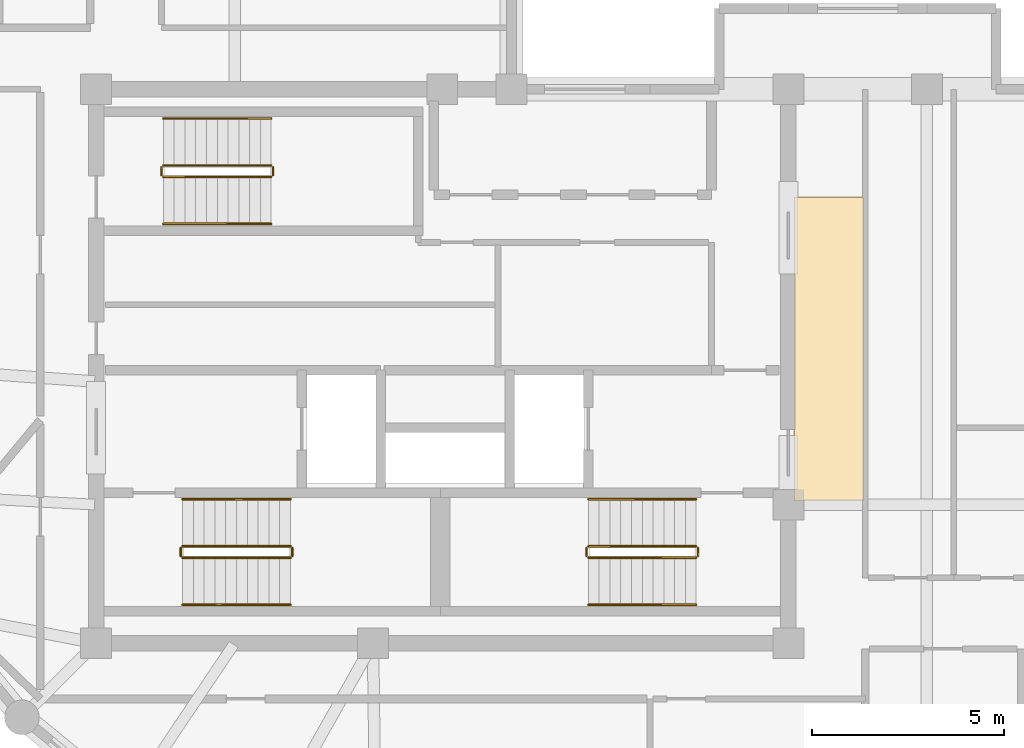
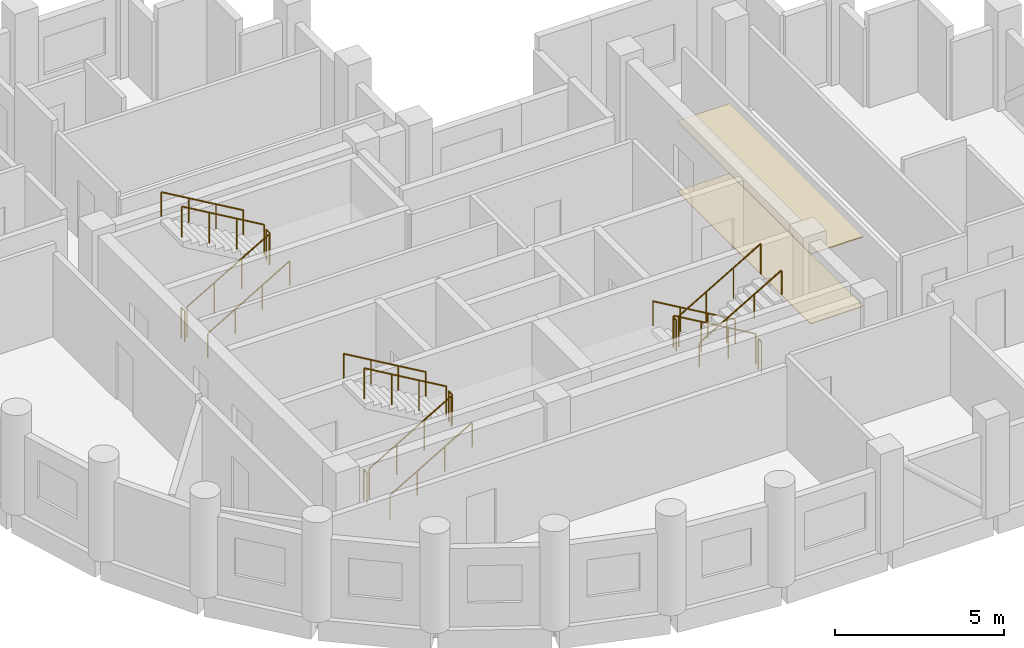
# One storey, part 6 of 6: 18 railings, 2 coverings.
"""IFC4 building model written with IfcOpenShell, lengths in metres."""

from ifc_helpers import new_model, si_unit, direction, frame, origin, origin_2d, place, context, subcontext, project, spatial, polyline, circle, outline, extrude, material, layer, layer_set, type_object, element, save


model = new_model("IFC4")

# Units and contexts
model_context = context("Model", 3, precision=1e-05, world=origin(), true_north=direction((0.0, 1.0)))
body_context = subcontext(model_context, "Body", "Model", "MODEL_VIEW")
ifc_project = project(units=[si_unit("LENGTHUNIT", "METRE"), si_unit("AREAUNIT", "SQUARE_METRE"), si_unit("VOLUMEUNIT", "CUBIC_METRE"), si_unit("PLANEANGLEUNIT", "RADIAN"), si_unit("MASSUNIT", "GRAM", prefix="KILO")], contexts=[model_context])

# Site, building, storey
site_placement = place(None, origin())
site = spatial("IfcSite", under=ifc_project, at=site_placement, CompositionType="ELEMENT")
building_placement = place(site_placement, origin())
building = spatial("IfcBuilding", under=site, at=building_placement, Name="Solnavia Interchange Tower", CompositionType="ELEMENT")
storey_placement = place(building_placement, frame((0.0, 0.0, 255.800048828125)))
storey = spatial("IfcBuildingStorey", under=building, at=storey_placement, Name="L64", CompositionType="ELEMENT", Elevation=255.800048828125)

# Coverings
ifc_material_1 = material(Name="Perforated Mineral-Fibre & Gypsum Ceiling", Category="gypsum")
ifc_layer_1 = layer(ifc_material_1, 0.0400390625)
ifc_layer_set_1 = layer_set([ifc_layer_1], Name="Perforated Mineral-Fibre & Gypsum Ceiling")
covering_type_1 = type_object("IfcCoveringType", Name="Covering-Ceiling-Acoustic40", PredefinedType="CEILING", material=ifc_layer_set_1)
covering_1_placement = place(storey_placement, frame((0.0, 0.0, 2.5)))
element("IfcCovering", 1, at=covering_1_placement, inside=storey, type_object=covering_type_1, Name="CLG-L64-01 Circulation suspended acoustic ceiling", PredefinedType="CEILING", context=body_context, shape_type="SweptSolid", body=[
    extrude(outline(polyline([(32.550048828125, 14.5), (34.35009765625, 14.5), (34.35009765625, 22.39990234375), (32.550048828125, 22.39990234375), (32.550048828125, 14.5)])), origin(), (0.0, 0.0, 1.0), 0.0400390625),
])
ifc_material_2 = material(Name="Engineered European Oak Flooring", Category="wood")
ifc_layer_2 = layer(ifc_material_2, 0.02001953125)
ifc_layer_set_2 = layer_set([ifc_layer_2], Name="Engineered European Oak Flooring")
covering_type_2 = type_object("IfcCoveringType", Name="Covering-Flooring-Timber20", PredefinedType="FLOORING", material=ifc_layer_set_2)
covering_2_placement = place(storey_placement, origin())
element("IfcCovering", 2, at=covering_2_placement, inside=storey, type_object=covering_type_2, Name="FLR-L64-01 Circulation floor finish", PredefinedType="FLOORING", context=body_context, shape_type="SweptSolid", body=[
    extrude(outline(polyline([(32.550048828125, 14.5), (34.35009765625, 14.5), (34.35009765625, 22.39990234375), (32.550048828125, 22.39990234375), (32.550048828125, 14.5)])), origin(), (0.0, 0.0, 1.0), 0.02001953125),
])

# Railings
ifc_material_3 = material(Name="Painted Steel Balustrade", Category="steel")
railing_type_1 = type_object("IfcRailingType", Name="Railing-StairGuard-1100", PredefinedType="GUARDRAIL", material=ifc_material_3)
railing_1_placement = place(storey_placement, frame((16.64990234375, 13.02001953125, 0.16357421875)))
element("IfcRailing", 3, at=railing_1_placement, inside=storey, type_object=railing_type_1, Name="L64 ST-1 stair guard 1", PredefinedType="GUARDRAIL", context=body_context, shape_type="SweptSolid", body=[
    extrude(circle(Radius=0.02392578125, at=origin_2d()), frame((0.0, 0.0, 1.09619140625), z_axis=(0.863360870873, 0.0, 0.504586966384), x_axis=(0.0, 1.0, 0.0)), (0.0, 0.0, 1.0), 3.2431640625),
    extrude(circle(Radius=0.02099609375, at=origin_2d()), origin(), (0.0, 0.0, 1.0), 1.072021484375),
    extrude(circle(Radius=0.02099609375, at=origin_2d()), frame((0.933349609375, 0.0, 0.54541015625)), (0.0, 0.0, 1.0), 1.072021484375),
    extrude(circle(Radius=0.02099609375, at=origin_2d()), frame((1.86669921875, 0.0, 1.091064453125)), (0.0, 0.0, 1.0), 1.072021484375),
    extrude(circle(Radius=0.02099609375, at=origin_2d()), frame((2.800048828125, 0.0, 1.636474609375)), (0.0, 0.0, 1.0), 1.072021484375),
])
railing_2_placement = place(storey_placement, frame((19.5, 13.070068359375, 1.800048828125)))
element("IfcRailing", 4, at=railing_2_placement, inside=storey, type_object=railing_type_1, Name="L64 ST-1 stair guard 2", PredefinedType="GUARDRAIL", context=body_context, shape_type="SweptSolid", body=[
    extrude(circle(Radius=0.02392578125, at=origin_2d()), frame((0.0, 0.0, 1.09619140625), z_axis=(0.0, 1.0, 0.0), x_axis=(-1.0, 0.0, 0.0)), (0.0, 0.0, 1.0), 0.199951171875),
    extrude(circle(Radius=0.02099609375, at=origin_2d()), origin(), (0.0, 0.0, 1.0), 1.072021484375),
    extrude(circle(Radius=0.02099609375, at=origin_2d()), frame((0.0, 0.199951171875, 0.0)), (0.0, 0.0, 1.0), 1.072021484375),
])
railing_3_placement = place(storey_placement, frame((19.449951171875, 13.320068359375, 1.963623046875)))
element("IfcRailing", 5, at=railing_3_placement, inside=storey, type_object=railing_type_1, Name="L64 ST-1 stair guard 3", PredefinedType="GUARDRAIL", context=body_context, shape_type="SweptSolid", body=[
    extrude(circle(Radius=0.02392578125, at=origin_2d()), frame((0.0, 0.0, 1.09619140625), z_axis=(-0.863393664356, 0.0, 0.504530851732), x_axis=(0.0, -1.0, 0.0)), (0.0, 0.0, 1.0), 3.2431640625),
    extrude(circle(Radius=0.02099609375, at=origin_2d()), origin(), (0.0, 0.0, 1.0), 1.072021484375),
    extrude(circle(Radius=0.02099609375, at=origin_2d()), frame((-0.933349609375, 0.0, 0.54541015625)), (0.0, 0.0, 1.0), 1.072021484375),
    extrude(circle(Radius=0.02099609375, at=origin_2d()), frame((-1.86669921875, 0.0, 1.0908203125)), (0.0, 0.0, 1.0), 1.072021484375),
    extrude(circle(Radius=0.02099609375, at=origin_2d()), frame((-2.800048828125, 0.0, 1.63623046875)), (0.0, 0.0, 1.0), 1.072021484375),
])
railing_4_placement = place(storey_placement, frame((16.60009765625, 13.070068359375, 0.0)))
element("IfcRailing", 6, at=railing_4_placement, inside=storey, type_object=railing_type_1, Name="L64 ST-1 stair guard 4", PredefinedType="GUARDRAIL", context=body_context, shape_type="SweptSolid", body=[
    extrude(circle(Radius=0.02392578125, at=origin_2d()), frame((0.0, 0.0, 1.09619140625), z_axis=(0.0, 1.0, 0.0), x_axis=(-1.0, 0.0, 0.0)), (0.0, 0.0, 1.0), 0.199951171875),
    extrude(circle(Radius=0.02099609375, at=origin_2d()), origin(), (0.0, 0.0, 1.0), 1.072021484375),
    extrude(circle(Radius=0.02099609375, at=origin_2d()), frame((0.0, 0.199951171875, 0.0)), (0.0, 0.0, 1.0), 1.072021484375),
])
railing_5_placement = place(storey_placement, frame((30.0, 13.320068359375, 0.16357421875)))
element("IfcRailing", 7, at=railing_5_placement, inside=storey, type_object=railing_type_1, Name="L64 ST-2 stair guard 1", PredefinedType="GUARDRAIL", context=body_context, shape_type="SweptSolid", body=[
    extrude(circle(Radius=0.02392578125, at=origin_2d()), frame((0.0, 0.0, 1.09619140625), z_axis=(-0.863360870873, 0.0, 0.504586966384), x_axis=(0.0, -1.0, 0.0)), (0.0, 0.0, 1.0), 3.2431640625),
    extrude(circle(Radius=0.02099609375, at=origin_2d()), origin(), (0.0, 0.0, 1.0), 1.072021484375),
    extrude(circle(Radius=0.02099609375, at=origin_2d()), frame((-0.933349609375, 0.0, 0.54541015625)), (0.0, 0.0, 1.0), 1.072021484375),
    extrude(circle(Radius=0.02099609375, at=origin_2d()), frame((-1.86669921875, 0.0, 1.091064453125)), (0.0, 0.0, 1.0), 1.072021484375),
    extrude(circle(Radius=0.02099609375, at=origin_2d()), frame((-2.800048828125, 0.0, 1.636474609375)), (0.0, 0.0, 1.0), 1.072021484375),
])
railing_6_placement = place(storey_placement, frame((27.14990234375, 13.27001953125, 1.800048828125)))
element("IfcRailing", 8, at=railing_6_placement, inside=storey, type_object=railing_type_1, Name="L64 ST-2 stair guard 2", PredefinedType="GUARDRAIL", context=body_context, shape_type="SweptSolid", body=[
    extrude(circle(Radius=0.02392578125, at=origin_2d()), frame((0.0, 0.0, 1.09619140625), z_axis=(0.0, -1.0, 0.0), x_axis=(1.0, 0.0, 0.0)), (0.0, 0.0, 1.0), 0.199951171875),
    extrude(circle(Radius=0.02099609375, at=origin_2d()), origin(), (0.0, 0.0, 1.0), 1.072021484375),
    extrude(circle(Radius=0.02099609375, at=origin_2d()), frame((0.0, -0.199951171875, 0.0)), (0.0, 0.0, 1.0), 1.072021484375),
])
railing_7_placement = place(storey_placement, frame((27.199951171875, 13.02001953125, 1.963623046875)))
element("IfcRailing", 9, at=railing_7_placement, inside=storey, type_object=railing_type_1, Name="L64 ST-2 stair guard 3", PredefinedType="GUARDRAIL", context=body_context, shape_type="SweptSolid", body=[
    extrude(circle(Radius=0.02392578125, at=origin_2d()), frame((0.0, 0.0, 1.09619140625), z_axis=(0.863393664356, 0.0, 0.504530851732), x_axis=(0.0, 1.0, 0.0)), (0.0, 0.0, 1.0), 3.2431640625),
    extrude(circle(Radius=0.02099609375, at=origin_2d()), origin(), (0.0, 0.0, 1.0), 1.072021484375),
    extrude(circle(Radius=0.02099609375, at=origin_2d()), frame((0.933349609375, 0.0, 0.54541015625)), (0.0, 0.0, 1.0), 1.072021484375),
    extrude(circle(Radius=0.02099609375, at=origin_2d()), frame((1.86669921875, 0.0, 1.0908203125)), (0.0, 0.0, 1.0), 1.072021484375),
    extrude(circle(Radius=0.02099609375, at=origin_2d()), frame((2.800048828125, 0.0, 1.63623046875)), (0.0, 0.0, 1.0), 1.072021484375),
])
railing_8_placement = place(storey_placement, frame((30.050048828125, 13.27001953125, 0.0)))
element("IfcRailing", 10, at=railing_8_placement, inside=storey, type_object=railing_type_1, Name="L64 ST-2 stair guard 4", PredefinedType="GUARDRAIL", context=body_context, shape_type="SweptSolid", body=[
    extrude(circle(Radius=0.02392578125, at=origin_2d()), frame((0.0, 0.0, 1.09619140625), z_axis=(0.0, -1.0, 0.0), x_axis=(1.0, 0.0, 0.0)), (0.0, 0.0, 1.0), 0.199951171875),
    extrude(circle(Radius=0.02099609375, at=origin_2d()), origin(), (0.0, 0.0, 1.0), 1.072021484375),
    extrude(circle(Radius=0.02099609375, at=origin_2d()), frame((0.0, -0.199951171875, 0.0)), (0.0, 0.0, 1.0), 1.072021484375),
])
railing_9_placement = place(storey_placement, frame((16.14990234375, 22.919921875, 0.16357421875)))
element("IfcRailing", 11, at=railing_9_placement, inside=storey, type_object=railing_type_1, Name="L64 ST-3 stair guard 1", PredefinedType="GUARDRAIL", context=body_context, shape_type="SweptSolid", body=[
    extrude(circle(Radius=0.02392578125, at=origin_2d()), frame((0.0, 0.0, 1.09619140625), z_axis=(0.863360870873, 0.0, 0.504586966384), x_axis=(0.0, 1.0, 0.0)), (0.0, 0.0, 1.0), 3.2431640625),
    extrude(circle(Radius=0.02099609375, at=origin_2d()), origin(), (0.0, 0.0, 1.0), 1.072021484375),
    extrude(circle(Radius=0.02099609375, at=origin_2d()), frame((0.933349609375, 0.0, 0.54541015625)), (0.0, 0.0, 1.0), 1.072021484375),
    extrude(circle(Radius=0.02099609375, at=origin_2d()), frame((1.86669921875, 0.0, 1.091064453125)), (0.0, 0.0, 1.0), 1.072021484375),
    extrude(circle(Radius=0.02099609375, at=origin_2d()), frame((2.800048828125, 0.0, 1.636474609375)), (0.0, 0.0, 1.0), 1.072021484375),
])
railing_10_placement = place(storey_placement, frame((19.0, 22.969970703125, 1.800048828125)))
element("IfcRailing", 12, at=railing_10_placement, inside=storey, type_object=railing_type_1, Name="L64 ST-3 stair guard 2", PredefinedType="GUARDRAIL", context=body_context, shape_type="SweptSolid", body=[
    extrude(circle(Radius=0.02392578125, at=origin_2d()), frame((0.0, 0.0, 1.09619140625), z_axis=(0.0, 1.0, 0.0), x_axis=(-1.0, 0.0, 0.0)), (0.0, 0.0, 1.0), 0.199951171875),
    extrude(circle(Radius=0.02099609375, at=origin_2d()), origin(), (0.0, 0.0, 1.0), 1.072021484375),
    extrude(circle(Radius=0.02099609375, at=origin_2d()), frame((0.0, 0.199951171875, 0.0)), (0.0, 0.0, 1.0), 1.072021484375),
])
railing_11_placement = place(storey_placement, frame((18.949951171875, 23.219970703125, 1.963623046875)))
element("IfcRailing", 13, at=railing_11_placement, inside=storey, type_object=railing_type_1, Name="L64 ST-3 stair guard 3", PredefinedType="GUARDRAIL", context=body_context, shape_type="SweptSolid", body=[
    extrude(circle(Radius=0.02392578125, at=origin_2d()), frame((0.0, 0.0, 1.09619140625), z_axis=(-0.863393664356, 0.0, 0.504530851732), x_axis=(0.0, -1.0, 0.0)), (0.0, 0.0, 1.0), 3.2431640625),
    extrude(circle(Radius=0.02099609375, at=origin_2d()), origin(), (0.0, 0.0, 1.0), 1.072021484375),
    extrude(circle(Radius=0.02099609375, at=origin_2d()), frame((-0.933349609375, 0.0, 0.54541015625)), (0.0, 0.0, 1.0), 1.072021484375),
    extrude(circle(Radius=0.02099609375, at=origin_2d()), frame((-1.86669921875, 0.0, 1.0908203125)), (0.0, 0.0, 1.0), 1.072021484375),
    extrude(circle(Radius=0.02099609375, at=origin_2d()), frame((-2.800048828125, 0.0, 1.63623046875)), (0.0, 0.0, 1.0), 1.072021484375),
])
railing_12_placement = place(storey_placement, frame((16.10009765625, 22.969970703125, 0.0)))
element("IfcRailing", 14, at=railing_12_placement, inside=storey, type_object=railing_type_1, Name="L64 ST-3 stair guard 4", PredefinedType="GUARDRAIL", context=body_context, shape_type="SweptSolid", body=[
    extrude(circle(Radius=0.02392578125, at=origin_2d()), frame((0.0, 0.0, 1.09619140625), z_axis=(0.0, 1.0, 0.0), x_axis=(-1.0, 0.0, 0.0)), (0.0, 0.0, 1.0), 0.199951171875),
    extrude(circle(Radius=0.02099609375, at=origin_2d()), origin(), (0.0, 0.0, 1.0), 1.072021484375),
    extrude(circle(Radius=0.02099609375, at=origin_2d()), frame((0.0, 0.199951171875, 0.0)), (0.0, 0.0, 1.0), 1.072021484375),
])
ifc_material_4 = material(Name="Brushed Stainless Steel", Category="steel")
railing_type_2 = type_object("IfcRailingType", Name="Railing-StairHandrail-900", PredefinedType="HANDRAIL", material=ifc_material_4)
railing_13_placement = place(storey_placement, frame((16.64990234375, 11.800048828125, 0.16357421875)))
element("IfcRailing", 15, at=railing_13_placement, inside=storey, type_object=railing_type_2, Name="L64 ST-1 stair handrail 1", PredefinedType="HANDRAIL", context=body_context, shape_type="SweptSolid", body=[
    extrude(circle(Radius=0.02392578125, at=origin_2d()), frame((0.0, 0.0, 0.8759765625), z_axis=(0.863360870873, 0.0, 0.504586966384), x_axis=(0.0, 1.0, 0.0)), (0.0, 0.0, 1.0), 3.2431640625),
    extrude(circle(Radius=0.02099609375, at=origin_2d()), origin(), (0.0, 0.0, 1.0), 0.851806640625),
    extrude(circle(Radius=0.02099609375, at=origin_2d()), frame((0.933349609375, 0.0, 0.54541015625)), (0.0, 0.0, 1.0), 0.851806640625),
    extrude(circle(Radius=0.02099609375, at=origin_2d()), frame((1.86669921875, 0.0, 1.091064453125)), (0.0, 0.0, 1.0), 0.851806640625),
    extrude(circle(Radius=0.02099609375, at=origin_2d()), frame((2.800048828125, 0.0, 1.636474609375)), (0.0, 0.0, 1.0), 0.851806640625),
])
railing_14_placement = place(storey_placement, frame((19.449951171875, 14.5400390625, 1.963623046875)))
element("IfcRailing", 16, at=railing_14_placement, inside=storey, type_object=railing_type_2, Name="L64 ST-1 stair handrail 2", PredefinedType="HANDRAIL", context=body_context, shape_type="SweptSolid", body=[
    extrude(circle(Radius=0.02392578125, at=origin_2d()), frame((0.0, 0.0, 0.8759765625), z_axis=(-0.863393664356, 0.0, 0.504530851732), x_axis=(0.0, -1.0, 0.0)), (0.0, 0.0, 1.0), 3.2431640625),
    extrude(circle(Radius=0.02099609375, at=origin_2d()), origin(), (0.0, 0.0, 1.0), 0.851806640625),
    extrude(circle(Radius=0.02099609375, at=origin_2d()), frame((-0.933349609375, 0.0, 0.54541015625)), (0.0, 0.0, 1.0), 0.851806640625),
    extrude(circle(Radius=0.02099609375, at=origin_2d()), frame((-1.86669921875, 0.0, 1.0908203125)), (0.0, 0.0, 1.0), 0.851806640625),
    extrude(circle(Radius=0.02099609375, at=origin_2d()), frame((-2.800048828125, 0.0, 1.63623046875)), (0.0, 0.0, 1.0), 0.851806640625),
])
railing_15_placement = place(storey_placement, frame((30.0, 14.5400390625, 0.16357421875)))
element("IfcRailing", 17, at=railing_15_placement, inside=storey, type_object=railing_type_2, Name="L64 ST-2 stair handrail 1", PredefinedType="HANDRAIL", context=body_context, shape_type="SweptSolid", body=[
    extrude(circle(Radius=0.02392578125, at=origin_2d()), frame((0.0, 0.0, 0.8759765625), z_axis=(-0.863360870873, 0.0, 0.504586966384), x_axis=(0.0, -1.0, 0.0)), (0.0, 0.0, 1.0), 3.2431640625),
    extrude(circle(Radius=0.02099609375, at=origin_2d()), origin(), (0.0, 0.0, 1.0), 0.851806640625),
    extrude(circle(Radius=0.02099609375, at=origin_2d()), frame((-0.933349609375, 0.0, 0.54541015625)), (0.0, 0.0, 1.0), 0.851806640625),
    extrude(circle(Radius=0.02099609375, at=origin_2d()), frame((-1.86669921875, 0.0, 1.091064453125)), (0.0, 0.0, 1.0), 0.851806640625),
    extrude(circle(Radius=0.02099609375, at=origin_2d()), frame((-2.800048828125, 0.0, 1.636474609375)), (0.0, 0.0, 1.0), 0.851806640625),
])
railing_16_placement = place(storey_placement, frame((27.199951171875, 11.800048828125, 1.963623046875)))
element("IfcRailing", 18, at=railing_16_placement, inside=storey, type_object=railing_type_2, Name="L64 ST-2 stair handrail 2", PredefinedType="HANDRAIL", context=body_context, shape_type="SweptSolid", body=[
    extrude(circle(Radius=0.02392578125, at=origin_2d()), frame((0.0, 0.0, 0.8759765625), z_axis=(0.863393664356, 0.0, 0.504530851732), x_axis=(0.0, 1.0, 0.0)), (0.0, 0.0, 1.0), 3.2431640625),
    extrude(circle(Radius=0.02099609375, at=origin_2d()), origin(), (0.0, 0.0, 1.0), 0.851806640625),
    extrude(circle(Radius=0.02099609375, at=origin_2d()), frame((0.933349609375, 0.0, 0.54541015625)), (0.0, 0.0, 1.0), 0.851806640625),
    extrude(circle(Radius=0.02099609375, at=origin_2d()), frame((1.86669921875, 0.0, 1.0908203125)), (0.0, 0.0, 1.0), 0.851806640625),
    extrude(circle(Radius=0.02099609375, at=origin_2d()), frame((2.800048828125, 0.0, 1.63623046875)), (0.0, 0.0, 1.0), 0.851806640625),
])
railing_17_placement = place(storey_placement, frame((16.14990234375, 21.699951171875, 0.16357421875)))
element("IfcRailing", 19, at=railing_17_placement, inside=storey, type_object=railing_type_2, Name="L64 ST-3 stair handrail 1", PredefinedType="HANDRAIL", context=body_context, shape_type="SweptSolid", body=[
    extrude(circle(Radius=0.02392578125, at=origin_2d()), frame((0.0, 0.0, 0.8759765625), z_axis=(0.863360870873, 0.0, 0.504586966384), x_axis=(0.0, 1.0, 0.0)), (0.0, 0.0, 1.0), 3.2431640625),
    extrude(circle(Radius=0.02099609375, at=origin_2d()), origin(), (0.0, 0.0, 1.0), 0.851806640625),
    extrude(circle(Radius=0.02099609375, at=origin_2d()), frame((0.933349609375, 0.0, 0.54541015625)), (0.0, 0.0, 1.0), 0.851806640625),
    extrude(circle(Radius=0.02099609375, at=origin_2d()), frame((1.86669921875, 0.0, 1.091064453125)), (0.0, 0.0, 1.0), 0.851806640625),
    extrude(circle(Radius=0.02099609375, at=origin_2d()), frame((2.800048828125, 0.0, 1.636474609375)), (0.0, 0.0, 1.0), 0.851806640625),
])
railing_18_placement = place(storey_placement, frame((18.949951171875, 24.43994140625, 1.963623046875)))
element("IfcRailing", 20, at=railing_18_placement, inside=storey, type_object=railing_type_2, Name="L64 ST-3 stair handrail 2", PredefinedType="HANDRAIL", context=body_context, shape_type="SweptSolid", body=[
    extrude(circle(Radius=0.02392578125, at=origin_2d()), frame((0.0, 0.0, 0.8759765625), z_axis=(-0.863393664356, 0.0, 0.504530851732), x_axis=(0.0, -1.0, 0.0)), (0.0, 0.0, 1.0), 3.2431640625),
    extrude(circle(Radius=0.02099609375, at=origin_2d()), origin(), (0.0, 0.0, 1.0), 0.851806640625),
    extrude(circle(Radius=0.02099609375, at=origin_2d()), frame((-0.933349609375, 0.0, 0.54541015625)), (0.0, 0.0, 1.0), 0.851806640625),
    extrude(circle(Radius=0.02099609375, at=origin_2d()), frame((-1.86669921875, 0.0, 1.0908203125)), (0.0, 0.0, 1.0), 0.851806640625),
    extrude(circle(Radius=0.02099609375, at=origin_2d()), frame((-2.800048828125, 0.0, 1.63623046875)), (0.0, 0.0, 1.0), 0.851806640625),
])

save(model, "model.ifc")
